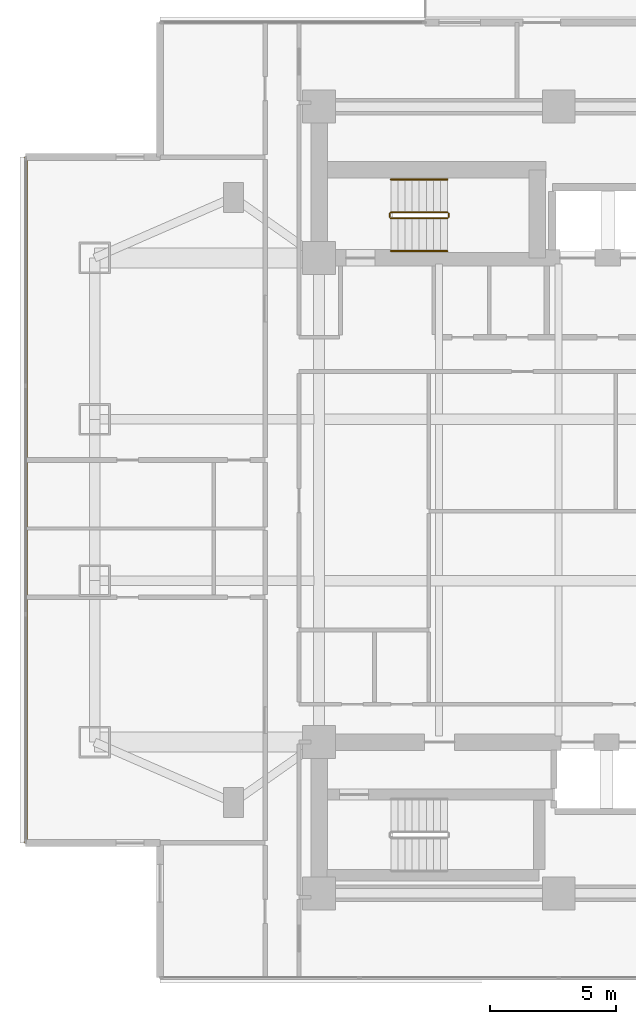
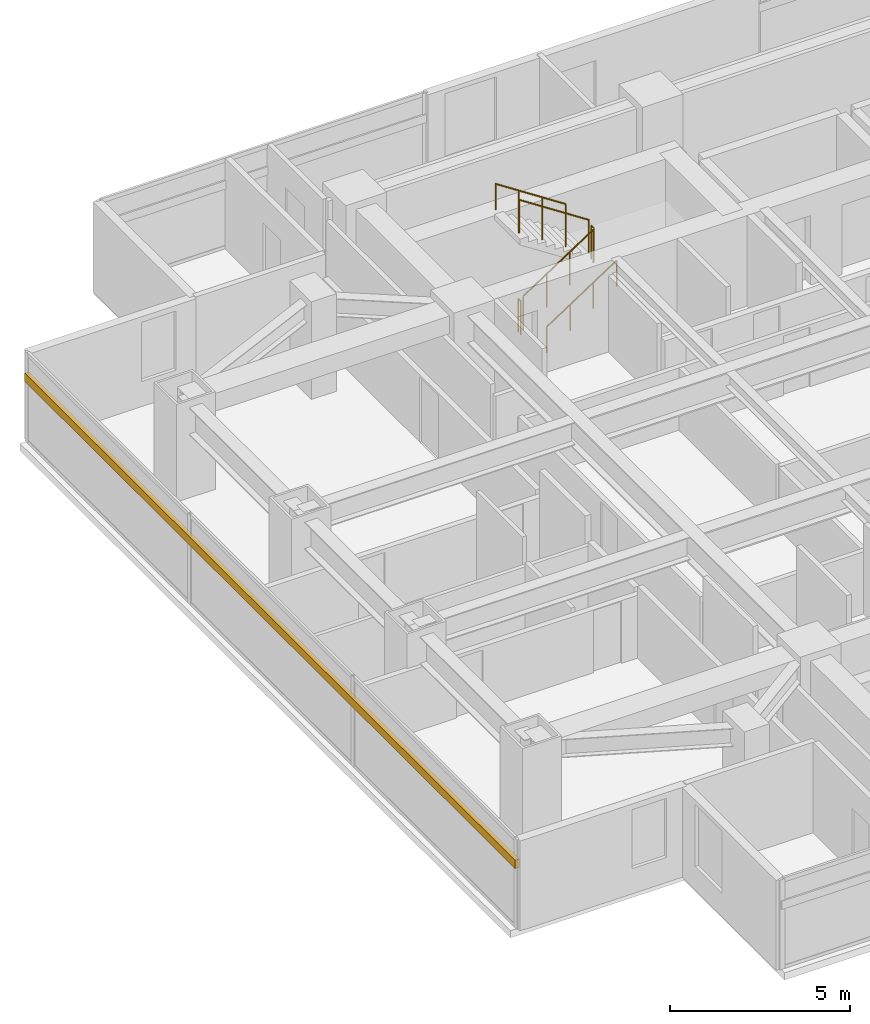
# One storey, part 21 of 25: 6 railings, 1 shading device.
"""IFC4 building model written with IfcOpenShell, lengths in metres."""

from ifc_helpers import new_model, si_unit, direction, frame, origin, origin_2d, place, context, subcontext, project, spatial, rectangle, circle, extrude, material, material_profile, profile_set, type_object, element, save


model = new_model("IFC4")

# Units and contexts
model_context = context("Model", 3, precision=1e-05, world=origin(), true_north=direction((0.0, 1.0)))
body_context = subcontext(model_context, "Body", "Model", "MODEL_VIEW")
ifc_project = project(units=[si_unit("LENGTHUNIT", "METRE"), si_unit("AREAUNIT", "SQUARE_METRE"), si_unit("VOLUMEUNIT", "CUBIC_METRE"), si_unit("PLANEANGLEUNIT", "RADIAN"), si_unit("MASSUNIT", "GRAM", prefix="KILO")], contexts=[model_context])

# Site, building, storey
site_placement = place(None, origin())
site = spatial("IfcSite", under=ifc_project, at=site_placement, CompositionType="ELEMENT")
building_placement = place(site_placement, origin())
building = spatial("IfcBuilding", under=site, at=building_placement, Name="Mirazonda Arch Towers", CompositionType="ELEMENT")
storey_placement = place(building_placement, frame((0.0, 0.0, 58.699951171875)))
storey = spatial("IfcBuildingStorey", under=building, at=storey_placement, Name="L16", CompositionType="ELEMENT", Elevation=58.699951171875)

# Shading device
ifc_material_1 = material(Name="Kiln-Fired Architectural Terracotta", Category="masonry")
ifc_material_profile = material_profile(ifc_material_1, rectangle(XDim=0.139892578125, YDim=0.280029296875, at=origin_2d()), Name="TERRA-BAG-140x280")
ifc_profile_set = profile_set([ifc_material_profile], Name="Kiln-Fired Architectural Terracotta")
shading_device_type = type_object("IfcShadingDeviceType", Name="BAGUETTE-3", PredefinedType="USERDEFINED", material=ifc_profile_set)
shading_device_placement = place(storey_placement, frame((-0.639892578125, 41.595947265625, 2.18896484375), z_axis=(0.0, -1.0, 0.0), x_axis=(1.0, 0.0, 0.0)))
element("IfcShadingDevice", 1, at=shading_device_placement, inside=storey, type_object=shading_device_type, Name="L16 Glazed Terracotta Sun-Screen Baguette CW-L16-T1-W", ObjectType="BAGUETTE", PredefinedType="USERDEFINED", context=body_context, shape_type="SweptSolid", body=[
    extrude(rectangle(XDim=0.139892578125, YDim=0.280029296875, at=origin_2d()), origin(), (0.0, 0.0, 1.0), 27.19189453125),
])

# Railings
ifc_material_2 = material(Name="Architectural Brushed Steel S355", Category="steel")
railing_type_1 = type_object("IfcRailingType", Name="GUARD-STAIR-1120", PredefinedType="GUARDRAIL", material=ifc_material_2)
railing_1_placement = place(storey_placement, frame((13.85009765625, 39.169921875, 0.183349609375)))
element("IfcRailing", 2, at=railing_1_placement, inside=storey, type_object=railing_type_1, Name="L16 ST-T1N stair guard 1", PredefinedType="GUARDRAIL", context=body_context, shape_type="SweptSolid", body=[
    extrude(circle(Radius=0.02392578125, at=origin_2d()), frame((0.0, 0.0, 1.1259765625), z_axis=(0.836595146698, 0.0, 0.547821650285), x_axis=(0.0, 1.0, 0.0)), (0.0, 0.0, 1.0), 2.677490234375),
    extrude(circle(Radius=0.02099609375, at=origin_2d()), origin(), (0.0, 0.0, 1.0), 1.101806640625),
    extrude(circle(Radius=0.02099609375, at=origin_2d()), frame((0.74658203125, 0.0, 0.489013671875)), (0.0, 0.0, 1.0), 1.101806640625),
    extrude(circle(Radius=0.02099609375, at=origin_2d()), frame((1.493408203125, 0.0, 0.977783203125)), (0.0, 0.0, 1.0), 1.101806640625),
    extrude(circle(Radius=0.02099609375, at=origin_2d()), frame((2.239990234375, 0.0, 1.466796875)), (0.0, 0.0, 1.0), 1.101806640625),
])
railing_2_placement = place(storey_placement, frame((16.139892578125, 39.219970703125, 1.650146484375)))
element("IfcRailing", 3, at=railing_2_placement, inside=storey, type_object=railing_type_1, Name="L16 ST-T1N stair guard 2", PredefinedType="GUARDRAIL", context=body_context, shape_type="SweptSolid", body=[
    extrude(circle(Radius=0.02392578125, at=origin_2d()), frame((0.0, 0.0, 1.1259765625), z_axis=(0.0, 1.0, 0.0), x_axis=(-1.0, 0.0, 0.0)), (0.0, 0.0, 1.0), 0.14013671875),
    extrude(circle(Radius=0.02099609375, at=origin_2d()), origin(), (0.0, 0.0, 1.0), 1.101806640625),
    extrude(circle(Radius=0.02099609375, at=origin_2d()), frame((0.0, 0.14013671875, 0.0)), (0.0, 0.0, 1.0), 1.101806640625),
])
railing_3_placement = place(storey_placement, frame((16.090087890625, 39.409912109375, 1.83349609375)))
element("IfcRailing", 4, at=railing_3_placement, inside=storey, type_object=railing_type_1, Name="L16 ST-T1N stair guard 3", PredefinedType="GUARDRAIL", context=body_context, shape_type="SweptSolid", body=[
    extrude(circle(Radius=0.02392578125, at=origin_2d()), frame((0.0, 0.0, 1.1259765625), z_axis=(-0.836636935527, 0.0, 0.547757827979), x_axis=(0.0, -1.0, 0.0)), (0.0, 0.0, 1.0), 2.677490234375),
    extrude(circle(Radius=0.02099609375, at=origin_2d()), origin(), (0.0, 0.0, 1.0), 1.101806640625),
    extrude(circle(Radius=0.02099609375, at=origin_2d()), frame((-0.74658203125, 0.0, 0.48876953125)), (0.0, 0.0, 1.0), 1.101806640625),
    extrude(circle(Radius=0.02099609375, at=origin_2d()), frame((-1.493408203125, 0.0, 0.977783203125)), (0.0, 0.0, 1.0), 1.101806640625),
    extrude(circle(Radius=0.02099609375, at=origin_2d()), frame((-2.239990234375, 0.0, 1.466552734375)), (0.0, 0.0, 1.0), 1.101806640625),
])
railing_4_placement = place(storey_placement, frame((13.800048828125, 39.219970703125, 0.0)))
element("IfcRailing", 5, at=railing_4_placement, inside=storey, type_object=railing_type_1, Name="L16 ST-T1N stair guard 4", PredefinedType="GUARDRAIL", context=body_context, shape_type="SweptSolid", body=[
    extrude(circle(Radius=0.02392578125, at=origin_2d()), frame((0.0, 0.0, 1.1259765625), z_axis=(0.0, 1.0, 0.0), x_axis=(-1.0, 0.0, 0.0)), (0.0, 0.0, 1.0), 0.14013671875),
    extrude(circle(Radius=0.02099609375, at=origin_2d()), origin(), (0.0, 0.0, 1.0), 1.101806640625),
    extrude(circle(Radius=0.02099609375, at=origin_2d()), frame((0.0, 0.14013671875, 0.0)), (0.0, 0.0, 1.0), 1.101806640625),
])
railing_type_2 = type_object("IfcRailingType", Name="HANDRAIL-915", PredefinedType="HANDRAIL", material=ifc_material_2)
railing_5_placement = place(storey_placement, frame((13.85009765625, 37.8701171875, 0.183349609375)))
element("IfcRailing", 6, at=railing_5_placement, inside=storey, type_object=railing_type_2, Name="L16 ST-T1N stair handrail 1", PredefinedType="HANDRAIL", context=body_context, shape_type="SweptSolid", body=[
    extrude(circle(Radius=0.02392578125, at=origin_2d()), frame((0.0, 0.0, 0.8759765625), z_axis=(0.836595146698, 0.0, 0.547821650285), x_axis=(0.0, 1.0, 0.0)), (0.0, 0.0, 1.0), 2.677490234375),
    extrude(circle(Radius=0.02099609375, at=origin_2d()), origin(), (0.0, 0.0, 1.0), 0.851806640625),
    extrude(circle(Radius=0.02099609375, at=origin_2d()), frame((0.74658203125, 0.0, 0.489013671875)), (0.0, 0.0, 1.0), 0.851806640625),
    extrude(circle(Radius=0.02099609375, at=origin_2d()), frame((1.493408203125, 0.0, 0.977783203125)), (0.0, 0.0, 1.0), 0.851806640625),
    extrude(circle(Radius=0.02099609375, at=origin_2d()), frame((2.239990234375, 0.0, 1.466796875)), (0.0, 0.0, 1.0), 0.851806640625),
])
railing_6_placement = place(storey_placement, frame((16.090087890625, 40.7099609375, 1.83349609375)))
element("IfcRailing", 7, at=railing_6_placement, inside=storey, type_object=railing_type_2, Name="L16 ST-T1N stair handrail 2", PredefinedType="HANDRAIL", context=body_context, shape_type="SweptSolid", body=[
    extrude(circle(Radius=0.02392578125, at=origin_2d()), frame((0.0, 0.0, 0.8759765625), z_axis=(-0.836636935527, 0.0, 0.547757827979), x_axis=(0.0, -1.0, 0.0)), (0.0, 0.0, 1.0), 2.677490234375),
    extrude(circle(Radius=0.02099609375, at=origin_2d()), origin(), (0.0, 0.0, 1.0), 0.851806640625),
    extrude(circle(Radius=0.02099609375, at=origin_2d()), frame((-0.74658203125, 0.0, 0.48876953125)), (0.0, 0.0, 1.0), 0.851806640625),
    extrude(circle(Radius=0.02099609375, at=origin_2d()), frame((-1.493408203125, 0.0, 0.977783203125)), (0.0, 0.0, 1.0), 0.851806640625),
    extrude(circle(Radius=0.02099609375, at=origin_2d()), frame((-2.239990234375, 0.0, 1.466552734375)), (0.0, 0.0, 1.0), 0.851806640625),
])

save(model, "model.ifc")
